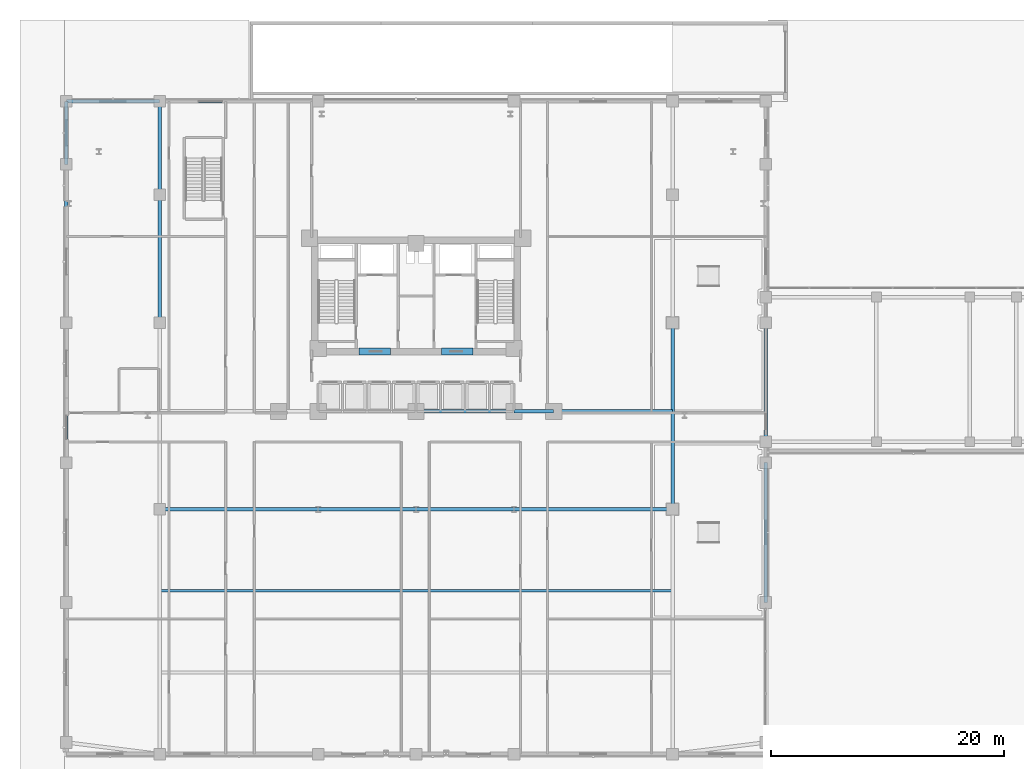
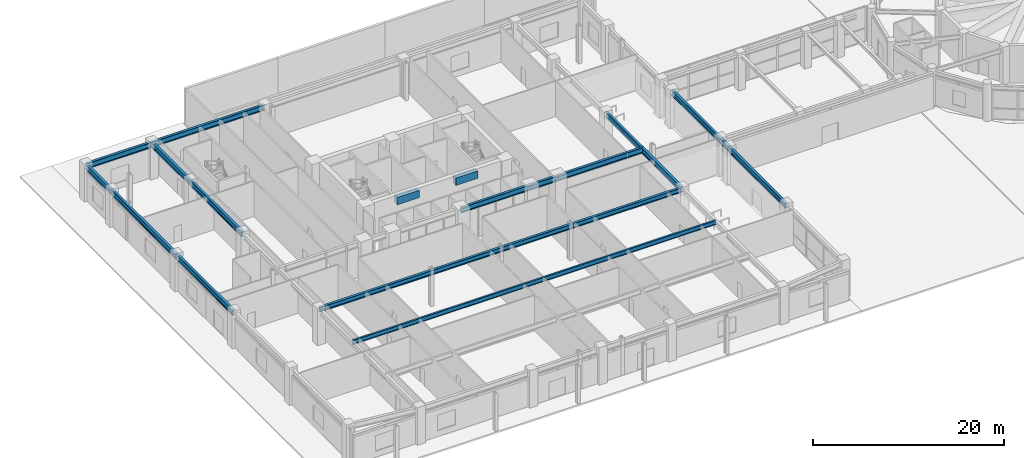
# One storey, part 8 of 40: 16 beams.
"""IFC4 building model written with IfcOpenShell, lengths in metres."""

from ifc_helpers import new_model, si_unit, derived_unit, direction, frame, origin, origin_2d, place, context, subcontext, project, spatial, rectangle, i_section, extrude, source, transform, mapped, material, material_profile, profile_set, type_object, element, save


model = new_model("IFC4")

# Units and contexts
model_context = context("Model", 3, precision=1e-05, world=origin(), true_north=direction((0.0, 1.0)))
body_context = subcontext(model_context, "Body", "Model", "MODEL_VIEW")
ifc_project = project(units=[si_unit("LENGTHUNIT", "METRE"), si_unit("AREAUNIT", "SQUARE_METRE"), si_unit("VOLUMEUNIT", "CUBIC_METRE"), si_unit("PLANEANGLEUNIT", "RADIAN"), si_unit("MASSUNIT", "GRAM", prefix="KILO"), derived_unit("THERMALTRANSMITTANCEUNIT", [(si_unit("POWERUNIT", "WATT"), 1), (si_unit("LENGTHUNIT", "METRE"), -2), (si_unit("THERMODYNAMICTEMPERATUREUNIT", "KELVIN"), -1)])], contexts=[model_context])

# Site, building, storey
site_placement = place(None, origin())
site = spatial("IfcSite", under=ifc_project, at=site_placement, CompositionType="ELEMENT")
building_placement = place(site_placement, origin())
building = spatial("IfcBuilding", under=site, at=building_placement, Name="Korsvarv Bourse and Concert Hall", CompositionType="ELEMENT")
storey_placement = place(building_placement, origin())
storey = spatial("IfcBuildingStorey", under=building, at=storey_placement, Name="L00", CompositionType="ELEMENT", Elevation=0.0)

# Beams
ifc_material_1 = material(Name="Concrete C55/67", Category="concrete")
ifc_material_profile_1 = material_profile(ifc_material_1, rectangle(XDim=0.60009765625, YDim=0.949951171875, at=origin_2d()), Name="RC-BM 600x950")
ifc_profile_set_1 = profile_set([ifc_material_profile_1], Name="Concrete C55/67")
beam_type_1 = type_object("IfcBeamType", Name="BM-CPL", PredefinedType="LINTEL", material=ifc_profile_set_1)
shared_shape_1 = source(origin(), body_context, "Body", "SweptSolid", [
    extrude(rectangle(XDim=0.60009765625, YDim=0.949951171875, at=origin_2d()), origin(), (0.0, 0.0, 1.0), 2.699951171875),
])
for number, where, z_axis, x_axis, name in (
    (1, (31.10009765625, 37.52490234375, 4.044921875), (1.0, 0.0, 0.0), (0.0, 1.0, 0.0), "L00 Core Coupling Beam West"),
    (2, (38.199951171875, 37.52490234375, 4.044921875), (1.0, 0.0, 0.0), (0.0, 1.0, 0.0), "L00 Core Coupling Beam East"),
):
    element("IfcBeam", number, at=place(storey_placement, frame(where, z_axis=z_axis, x_axis=x_axis)), inside=storey, type_object=beam_type_1, Name=name, PredefinedType="LINTEL", context=body_context, shape_type="MappedRepresentation", body=[
        mapped(shared_shape_1, transform((0.0, 0.0, 0.0), scale=1.0)),
    ])
ifc_material_2 = material(Name="Steel S355", Category="steel")
ifc_material_profile_2 = material_profile(ifc_material_2, i_section(OverallWidth=0.300048828125, OverallDepth=0.699951171875, WebThickness=0.01708984375, FlangeThickness=0.031982421875, FilletRadius=0.027099609375, at=origin_2d()), Name="HEB 700")
ifc_profile_set_2 = profile_set([ifc_material_profile_2], Name="Steel S355")
beam_type_2 = type_object("IfcBeamType", Name="BM-HEB700", PredefinedType="BEAM", material=ifc_profile_set_2)
shared_shape_2 = source(origin(), body_context, "Body", "SweptSolid", [
    extrude(i_section(OverallWidth=0.300048828125, OverallDepth=0.699951171875, WebThickness=0.01708984375, FlangeThickness=0.031982421875, FilletRadius=0.027099609375, at=origin_2d()), origin(), (0.0, 0.0, 1.0), 12.0),
])
for number, where, z_axis, x_axis, name in (
    (3, (6.0, 28.0, 4.169921875), (0.0, 1.0, 0.0), (-1.0, 0.0, 0.0), "L00 beam B-03"),
    (4, (66.0, 16.0, 4.169921875), (0.0, 1.0, 0.0), (-1.0, 0.0, 0.0), "L00 beam B-03"),
    (5, (66.0, 28.0, 4.169921875), (0.0, 1.0, 0.0), (-1.0, 0.0, 0.0), "L00 beam B-03"),
):
    element("IfcBeam", number, at=place(storey_placement, frame(where, z_axis=z_axis, x_axis=x_axis)), inside=storey, type_object=beam_type_2, Name=name, PredefinedType="BEAM", context=body_context, shape_type="MappedRepresentation", body=[
        mapped(shared_shape_2, transform((0.0, 0.0, 0.0), scale=1.0)),
    ])
shared_shape_3 = source(origin(), body_context, "Body", "SweptSolid", [
    extrude(i_section(OverallWidth=0.300048828125, OverallDepth=0.699951171875, WebThickness=0.01708984375, FlangeThickness=0.031982421875, FilletRadius=0.027099609375, at=origin_2d()), origin(), (0.0, 0.0, 1.0), 13.60009765625),
])
for number, where, z_axis, x_axis, name in (
    (6, (6.0, 40.0, 4.169921875), (0.0, 1.0, 0.0), (-1.0, 0.0, 0.0), "L00 beam B-03"),
    (7, (14.0, 59.0, 4.169921875), (1.0, 0.0, 0.0), (0.0, 1.0, 0.0), "L00 beam B-03"),
):
    element("IfcBeam", number, at=place(storey_placement, frame(where, z_axis=z_axis, x_axis=x_axis)), inside=storey, type_object=beam_type_2, Name=name, PredefinedType="BEAM", context=body_context, shape_type="MappedRepresentation", body=[
        mapped(shared_shape_3, transform((0.0, 0.0, 0.0), scale=1.0)),
    ])
shared_shape_4 = source(origin(), body_context, "Body", "SweptSolid", [
    extrude(i_section(OverallWidth=0.300048828125, OverallDepth=0.699951171875, WebThickness=0.01708984375, FlangeThickness=0.031982421875, FilletRadius=0.027099609375, at=origin_2d()), origin(), (0.0, 0.0, 1.0), 5.39990234375),
])
beam_1_placement = place(storey_placement, frame((6.0, 53.60009765625, 4.169921875), z_axis=(0.0, 1.0, 0.0), x_axis=(-1.0, 0.0, 0.0)))
element("IfcBeam", 8, at=beam_1_placement, inside=storey, type_object=beam_type_2, Name="L00 beam B-03", PredefinedType="BEAM", context=body_context, shape_type="MappedRepresentation", body=[
    mapped(shared_shape_4, transform((0.0, 0.0, 0.0), scale=1.0)),
])
shared_shape_5 = source(origin(), body_context, "Body", "SweptSolid", [
    extrude(i_section(OverallWidth=0.300048828125, OverallDepth=0.699951171875, WebThickness=0.01708984375, FlangeThickness=0.031982421875, FilletRadius=0.027099609375, at=origin_2d()), origin(), (0.0, 0.0, 1.0), 8.39990234375),
])
beam_2_placement = place(storey_placement, frame((36.0, 32.39990234375, 4.169921875), z_axis=(1.0, 0.0, 0.0), x_axis=(0.0, 1.0, 0.0)))
element("IfcBeam", 9, at=beam_2_placement, inside=storey, type_object=beam_type_2, Name="L00 beam B-03", PredefinedType="BEAM", context=body_context, shape_type="MappedRepresentation", body=[
    mapped(shared_shape_5, transform((0.0, 0.0, 0.0), scale=1.0)),
])
shared_shape_6 = source(origin(), body_context, "Body", "SweptSolid", [
    extrude(i_section(OverallWidth=0.300048828125, OverallDepth=0.699951171875, WebThickness=0.01708984375, FlangeThickness=0.031982421875, FilletRadius=0.027099609375, at=origin_2d()), origin(), (0.0, 0.0, 1.0), 8.0),
])
beam_3_placement = place(storey_placement, frame((6.0, 59.0, 4.169921875), z_axis=(1.0, 0.0, 0.0), x_axis=(0.0, 1.0, 0.0)))
element("IfcBeam", 10, at=beam_3_placement, inside=storey, type_object=beam_type_2, Name="L00 beam B-03", PredefinedType="BEAM", context=body_context, shape_type="MappedRepresentation", body=[
    mapped(shared_shape_6, transform((0.0, 0.0, 0.0), scale=1.0)),
])
shared_shape_7 = source(origin(), body_context, "Body", "SweptSolid", [
    extrude(i_section(OverallWidth=0.300048828125, OverallDepth=0.699951171875, WebThickness=0.01708984375, FlangeThickness=0.031982421875, FilletRadius=0.027099609375, at=origin_2d()), origin(), (0.0, 0.0, 1.0), 16.0),
])
beam_4_placement = place(storey_placement, frame((58.0, 24.0, 4.169921875), z_axis=(0.0, 1.0, 0.0), x_axis=(-1.0, 0.0, 0.0)))
element("IfcBeam", 11, at=beam_4_placement, inside=storey, type_object=beam_type_2, Name="L00 beam B-03", PredefinedType="BEAM", context=body_context, shape_type="MappedRepresentation", body=[
    mapped(shared_shape_7, transform((0.0, 0.0, 0.0), scale=1.0)),
])
shared_shape_8 = source(origin(), body_context, "Body", "SweptSolid", [
    extrude(i_section(OverallWidth=0.300048828125, OverallDepth=0.699951171875, WebThickness=0.01708984375, FlangeThickness=0.031982421875, FilletRadius=0.027099609375, at=origin_2d()), origin(), (0.0, 0.0, 1.0), 19.0),
])
beam_5_placement = place(storey_placement, frame((14.0, 40.0, 4.169921875), z_axis=(0.0, 1.0, 0.0), x_axis=(-1.0, 0.0, 0.0)))
element("IfcBeam", 12, at=beam_5_placement, inside=storey, type_object=beam_type_2, Name="L00 beam B-03", PredefinedType="BEAM", context=body_context, shape_type="MappedRepresentation", body=[
    mapped(shared_shape_8, transform((0.0, 0.0, 0.0), scale=1.0)),
])
shared_shape_9 = source(origin(), body_context, "Body", "SweptSolid", [
    extrude(i_section(OverallWidth=0.300048828125, OverallDepth=0.699951171875, WebThickness=0.01708984375, FlangeThickness=0.031982421875, FilletRadius=0.027099609375, at=origin_2d()), origin(), (0.0, 0.0, 1.0), 10.199951171875),
])
beam_6_placement = place(storey_placement, frame((47.800048828125, 32.39990234375, 4.169921875), z_axis=(1.0, 0.0, 0.0), x_axis=(0.0, 1.0, 0.0)))
element("IfcBeam", 13, at=beam_6_placement, inside=storey, type_object=beam_type_2, Name="L00 beam B-03", PredefinedType="BEAM", context=body_context, shape_type="MappedRepresentation", body=[
    mapped(shared_shape_9, transform((0.0, 0.0, 0.0), scale=1.0)),
])
shared_shape_10 = source(origin(), body_context, "Body", "SweptSolid", [
    extrude(i_section(OverallWidth=0.300048828125, OverallDepth=0.699951171875, WebThickness=0.01708984375, FlangeThickness=0.031982421875, FilletRadius=0.027099609375, at=origin_2d()), origin(), (0.0, 0.0, 1.0), 3.400146484375),
])
beam_7_placement = place(storey_placement, frame((44.39990234375, 32.39990234375, 4.169921875), z_axis=(1.0, 0.0, 0.0), x_axis=(0.0, 1.0, 0.0)))
element("IfcBeam", 14, at=beam_7_placement, inside=storey, type_object=beam_type_2, Name="L00 beam B-03", PredefinedType="BEAM", context=body_context, shape_type="MappedRepresentation", body=[
    mapped(shared_shape_10, transform((0.0, 0.0, 0.0), scale=1.0)),
])
ifc_material_profile_3 = material_profile(ifc_material_2, i_section(OverallWidth=0.2099609375, OverallDepth=0.550048828125, WebThickness=0.010986328125, FlangeThickness=0.01708984375, FilletRadius=0.02392578125, at=origin_2d()), Name="IPE 550")
ifc_profile_set_3 = profile_set([ifc_material_profile_3], Name="Steel S355")
beam_type_3 = type_object("IfcBeamType", Name="BM-IPE550", PredefinedType="JOIST", material=ifc_profile_set_3)
shared_shape_11 = source(origin(), body_context, "Body", "SweptSolid", [
    extrude(i_section(OverallWidth=0.2099609375, OverallDepth=0.550048828125, WebThickness=0.010986328125, FlangeThickness=0.01708984375, FilletRadius=0.02392578125, at=origin_2d()), origin(), (0.0, 0.0, 1.0), 44.0),
])
beam_8_placement = place(storey_placement, frame((14.0, 17.0, 4.2451171875), z_axis=(1.0, 0.0, 0.0), x_axis=(0.0, 1.0, 0.0)))
element("IfcBeam", 15, at=beam_8_placement, inside=storey, type_object=beam_type_3, Name="L00 beam J-02", PredefinedType="JOIST", context=body_context, shape_type="MappedRepresentation", body=[
    mapped(shared_shape_11, transform((0.0, 0.0, 0.0), scale=1.0)),
])
ifc_material_profile_4 = material_profile(ifc_material_2, i_section(OverallWidth=0.300048828125, OverallDepth=0.60009765625, WebThickness=0.015380859375, FlangeThickness=0.030029296875, FilletRadius=0.02392578125, at=origin_2d()), Name="HEB 600")
ifc_profile_set_4 = profile_set([ifc_material_profile_4], Name="Steel S355")
beam_type_4 = type_object("IfcBeamType", Name="BM-HEB600", PredefinedType="BEAM", material=ifc_profile_set_4)
shared_shape_12 = source(origin(), body_context, "Body", "SweptSolid", [
    extrude(i_section(OverallWidth=0.300048828125, OverallDepth=0.60009765625, WebThickness=0.015380859375, FlangeThickness=0.030029296875, FilletRadius=0.02392578125, at=origin_2d()), origin(), (0.0, 0.0, 1.0), 44.0),
])
beam_9_placement = place(storey_placement, frame((14.0, 24.0, 4.219970703125), z_axis=(1.0, 0.0, 0.0), x_axis=(0.0, 1.0, 0.0)))
element("IfcBeam", 16, at=beam_9_placement, inside=storey, type_object=beam_type_4, Name="L00 beam B-05", PredefinedType="BEAM", context=body_context, shape_type="MappedRepresentation", body=[
    mapped(shared_shape_12, transform((0.0, 0.0, 0.0), scale=1.0)),
])

save(model, "model.ifc")
